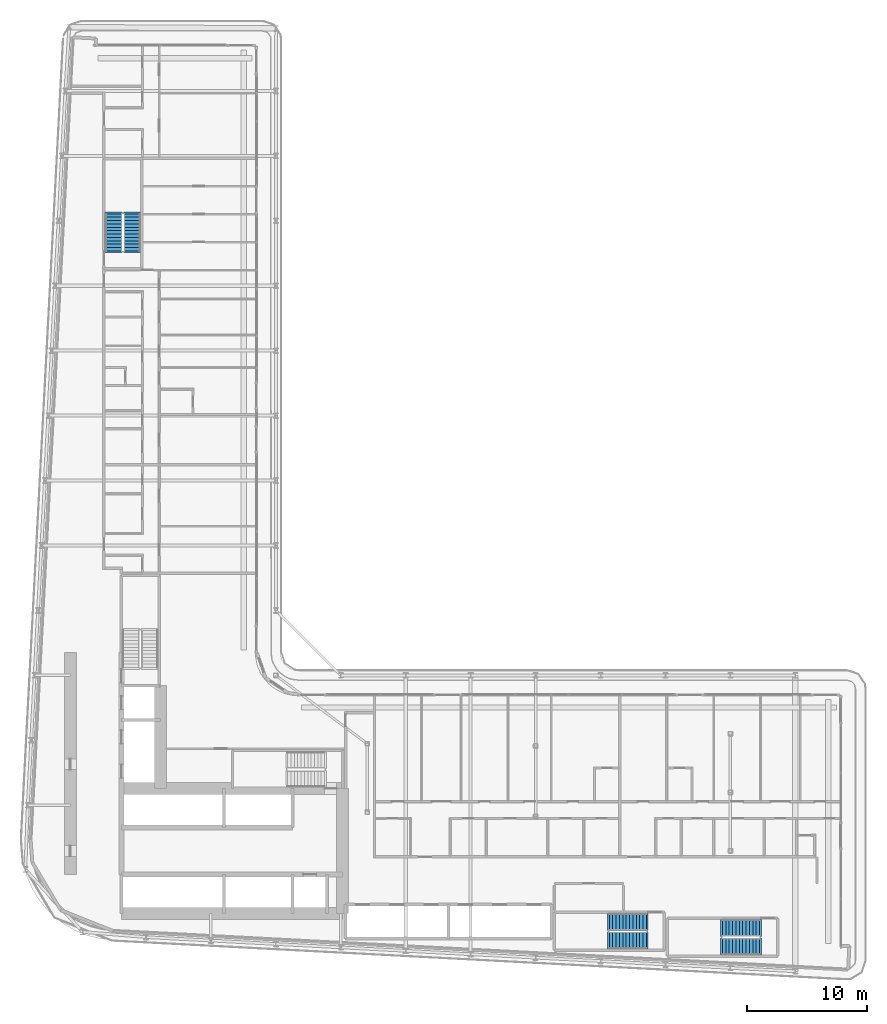
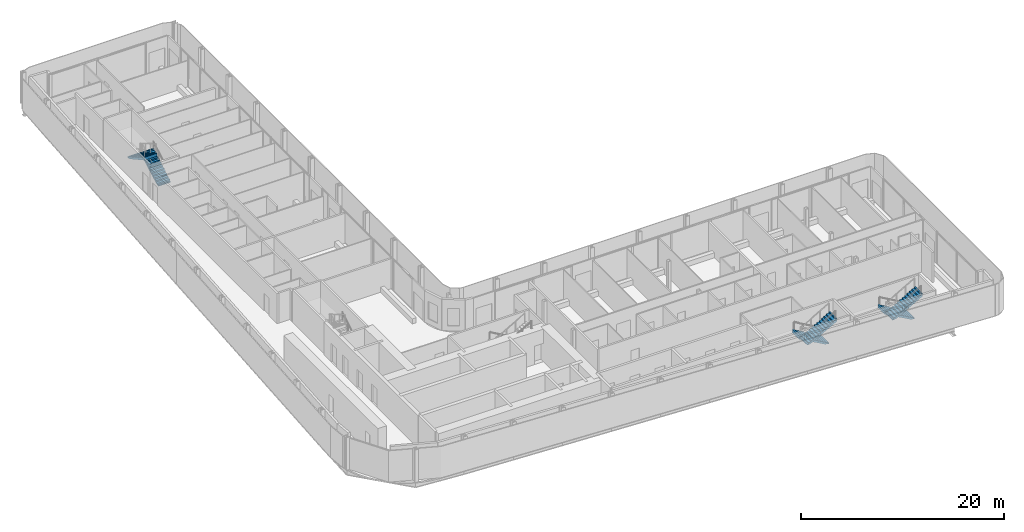
# One storey, part 20 of 27: 6 stair flights, 3 elements without a shape of their own.
"""IFC4 building model written with IfcOpenShell, lengths in metres."""

from ifc_helpers import new_model, si_unit, direction, frame, origin, place, context, subcontext, project, spatial, polyline, outline, extrude, material, layer, layer_set, type_object, element, aggregate, save


model = new_model("IFC4")

# Units and contexts
model_context = context("Model", 3, precision=1e-05, world=origin(), true_north=direction((0.0, 1.0)))
body_context = subcontext(model_context, "Body", "Model", "MODEL_VIEW")
ifc_project = project(units=[si_unit("LENGTHUNIT", "METRE"), si_unit("AREAUNIT", "SQUARE_METRE"), si_unit("VOLUMEUNIT", "CUBIC_METRE"), si_unit("PLANEANGLEUNIT", "RADIAN"), si_unit("MASSUNIT", "GRAM", prefix="KILO")], contexts=[model_context])

# Site, building, storey
site_placement = place(None, origin())
site = spatial("IfcSite", under=ifc_project, at=site_placement, CompositionType="ELEMENT")
building_placement = place(site_placement, origin())
building = spatial("IfcBuilding", under=site, at=building_placement, Name="Kheshtan School and Residences Tower", CompositionType="ELEMENT")
storey_placement = place(building_placement, frame((0.0, 0.0, 50.0)))
storey = spatial("IfcBuildingStorey", under=building, at=storey_placement, Name="L11", CompositionType="ELEMENT", Elevation=50.0)

# Stair, stair flights
ifc_material = material(Name="Concrete C40/50", Category="concrete")
stair_type = type_object("IfcStairType", Name="Exit stair, half-turn", PredefinedType="HALF_TURN_STAIR", material=ifc_material)
stair_1_placement = place(storey_placement, origin())
stair_1 = element("IfcStair", 1, at=stair_1_placement, inside=storey, type_object=stair_type, Name="L11 Protected Exit Stair ST3", PredefinedType="HALF_TURN_STAIR")
ifc_layer = layer(ifc_material, 0.14990234375)
ifc_layer_set = layer_set([ifc_layer], Name="Stair flight 1400 Concrete C40/50")
stair_flight_type = type_object("IfcStairFlightType", Name="Stair flight 1400 Concrete C40/50", PredefinedType="STRAIGHT", material=ifc_layer_set)
stair_flight_1_placement = place(storey_placement, frame((35.64990234375, 80.89990234375, 0.0), z_axis=(0.0, 0.0, 1.0), x_axis=(0.0, 1.0, 0.0)))
stair_flight_1 = element("IfcStairFlight", 2, at=stair_flight_1_placement, type_object=stair_flight_type, Name="ST3 flight 1", NumberOfRisers=12, NumberOfTreads=11, PredefinedType="STRAIGHT", RiserHeight=0.1625, TreadLength=0.28, context=body_context, shape_type="SweptSolid", body=[
    extrude(outline(polyline([(-0.14990234375, -0.10009765625), (-0.14990234375, 0.0), (0.0, 0.0), (0.0, 0.16259765625), (0.280029296875, 0.16259765625), (0.280029296875, 0.324951171875), (0.56005859375, 0.324951171875), (0.56005859375, 0.487548828125), (0.840087890625, 0.487548828125), (0.840087890625, 0.64990234375), (1.1201171875, 0.64990234375), (1.1201171875, 0.8125), (1.39990234375, 0.8125), (1.39990234375, 0.97509765625), (1.679931640625, 0.97509765625), (1.679931640625, 1.137451171875), (1.9599609375, 1.137451171875), (1.9599609375, 1.300048828125), (2.239990234375, 1.300048828125), (2.239990234375, 1.46240234375), (2.52001953125, 1.46240234375), (2.52001953125, 1.625), (2.800048828125, 1.625), (2.800048828125, 1.78759765625), (3.080078125, 1.78759765625), (3.080078125, 1.949951171875), (3.080078125, 1.969970703125), (3.22998046875, 1.969970703125), (3.22998046875, 1.6142578125), (0.298583984375, 0.0), (-0.14990234375, -0.10009765625)])), frame((0.0, 0.699951171875, 0.0), z_axis=(0.0, -1.0, 0.0), x_axis=(1.0, 0.0, 0.0)), (0.0, 0.0, 1.0), 1.39990234375),
])
stair_flight_2_placement = place(storey_placement, frame((34.10009765625, 83.97998046875, 1.949951171875), z_axis=(0.0, 0.0, 1.0), x_axis=(0.0, -1.0, 0.0)))
stair_flight_2 = element("IfcStairFlight", 3, at=stair_flight_2_placement, type_object=stair_flight_type, Name="ST3 flight 2", NumberOfRisers=12, NumberOfTreads=11, PredefinedType="STRAIGHT", RiserHeight=0.1625, TreadLength=0.28, context=body_context, shape_type="SweptSolid", body=[
    extrude(outline(polyline([(-0.14990234375, -0.10009765625), (-0.14990234375, 0.0), (0.0, 0.0), (0.0, 0.16259765625), (0.280029296875, 0.16259765625), (0.280029296875, 0.324951171875), (0.56005859375, 0.324951171875), (0.56005859375, 0.487548828125), (0.840087890625, 0.487548828125), (0.840087890625, 0.64990234375), (1.1201171875, 0.64990234375), (1.1201171875, 0.8125), (1.39990234375, 0.8125), (1.39990234375, 0.97509765625), (1.679931640625, 0.97509765625), (1.679931640625, 1.137451171875), (1.9599609375, 1.137451171875), (1.9599609375, 1.300048828125), (2.239990234375, 1.300048828125), (2.239990234375, 1.46240234375), (2.52001953125, 1.46240234375), (2.52001953125, 1.625), (2.800048828125, 1.625), (2.800048828125, 1.78759765625), (3.080078125, 1.78759765625), (3.080078125, 1.949951171875), (3.080078125, 1.969970703125), (3.22998046875, 1.969970703125), (3.22998046875, 1.6142578125), (0.298583984375, 0.0), (-0.14990234375, -0.10009765625)])), frame((0.0, 0.699951171875, 0.0), z_axis=(0.0, -1.0, 0.0), x_axis=(1.0, 0.0, 0.0)), (0.0, 0.0, 1.0), 1.39990234375),
])
aggregate(stair_1, [stair_flight_1, stair_flight_2])

stair_2_placement = place(storey_placement, origin())
stair_2 = element("IfcStair", 4, at=stair_2_placement, inside=storey, type_object=stair_type, Name="L11 Protected Exit Stair ST4", PredefinedType="HALF_TURN_STAIR")
stair_flight_3_placement = place(storey_placement, frame((87.820068359375, 24.60009765625, 0.0), z_axis=(0.0, 0.0, 1.0), x_axis=(-1.0, 0.0, 0.0)))
stair_flight_3 = element("IfcStairFlight", 5, at=stair_flight_3_placement, type_object=stair_flight_type, Name="ST4 flight 1", NumberOfRisers=12, NumberOfTreads=11, PredefinedType="STRAIGHT", RiserHeight=0.1625, TreadLength=0.28, context=body_context, shape_type="SweptSolid", body=[
    extrude(outline(polyline([(-0.14990234375, -0.10009765625), (-0.14990234375, 0.0), (0.0, 0.0), (0.0, 0.16259765625), (0.280029296875, 0.16259765625), (0.280029296875, 0.324951171875), (0.56005859375, 0.324951171875), (0.56005859375, 0.487548828125), (0.840087890625, 0.487548828125), (0.840087890625, 0.64990234375), (1.1201171875, 0.64990234375), (1.1201171875, 0.8125), (1.39990234375, 0.8125), (1.39990234375, 0.97509765625), (1.679931640625, 0.97509765625), (1.679931640625, 1.137451171875), (1.9599609375, 1.137451171875), (1.9599609375, 1.300048828125), (2.239990234375, 1.300048828125), (2.239990234375, 1.46240234375), (2.52001953125, 1.46240234375), (2.52001953125, 1.625), (2.800048828125, 1.625), (2.800048828125, 1.78759765625), (3.080078125, 1.78759765625), (3.080078125, 1.949951171875), (3.080078125, 1.969970703125), (3.22998046875, 1.969970703125), (3.22998046875, 1.6142578125), (0.298583984375, 0.0), (-0.14990234375, -0.10009765625)])), frame((0.0, 0.699951171875, 0.0), z_axis=(0.0, -1.0, 0.0), x_axis=(1.0, 0.0, 0.0)), (0.0, 0.0, 1.0), 1.39990234375),
])
stair_flight_4_placement = place(storey_placement, frame((84.739990234375, 23.050048828125, 1.949951171875), z_axis=(0.0, 0.0, 1.0), x_axis=(1.0, 0.0, 0.0)))
stair_flight_4 = element("IfcStairFlight", 6, at=stair_flight_4_placement, type_object=stair_flight_type, Name="ST4 flight 2", NumberOfRisers=12, NumberOfTreads=11, PredefinedType="STRAIGHT", RiserHeight=0.1625, TreadLength=0.28, context=body_context, shape_type="SweptSolid", body=[
    extrude(outline(polyline([(-0.14990234375, -0.10009765625), (-0.14990234375, 0.0), (0.0, 0.0), (0.0, 0.16259765625), (0.280029296875, 0.16259765625), (0.280029296875, 0.324951171875), (0.56005859375, 0.324951171875), (0.56005859375, 0.487548828125), (0.840087890625, 0.487548828125), (0.840087890625, 0.64990234375), (1.1201171875, 0.64990234375), (1.1201171875, 0.8125), (1.39990234375, 0.8125), (1.39990234375, 0.97509765625), (1.679931640625, 0.97509765625), (1.679931640625, 1.137451171875), (1.9599609375, 1.137451171875), (1.9599609375, 1.300048828125), (2.239990234375, 1.300048828125), (2.239990234375, 1.46240234375), (2.52001953125, 1.46240234375), (2.52001953125, 1.625), (2.800048828125, 1.625), (2.800048828125, 1.78759765625), (3.080078125, 1.78759765625), (3.080078125, 1.949951171875), (3.080078125, 1.969970703125), (3.22998046875, 1.969970703125), (3.22998046875, 1.6142578125), (0.298583984375, 0.0), (-0.14990234375, -0.10009765625)])), frame((0.0, 0.699951171875, 0.0), z_axis=(0.0, -1.0, 0.0), x_axis=(1.0, 0.0, 0.0)), (0.0, 0.0, 1.0), 1.39990234375),
])
aggregate(stair_2, [stair_flight_3, stair_flight_4])

stair_3_placement = place(storey_placement, origin())
stair_3 = element("IfcStair", 7, at=stair_3_placement, inside=storey, type_object=stair_type, Name="L11 Protected Exit Stair ST5", PredefinedType="HALF_TURN_STAIR")
stair_flight_5_placement = place(storey_placement, frame((78.409912109375, 25.10009765625, 0.0), z_axis=(0.0, 0.0, 1.0), x_axis=(-1.0, 0.0, 0.0)))
stair_flight_5 = element("IfcStairFlight", 8, at=stair_flight_5_placement, type_object=stair_flight_type, Name="ST5 flight 1", NumberOfRisers=12, NumberOfTreads=11, PredefinedType="STRAIGHT", RiserHeight=0.1625, TreadLength=0.28, context=body_context, shape_type="SweptSolid", body=[
    extrude(outline(polyline([(-0.14990234375, -0.10009765625), (-0.14990234375, 0.0), (0.0, 0.0), (0.0, 0.16259765625), (0.280029296875, 0.16259765625), (0.280029296875, 0.324951171875), (0.56005859375, 0.324951171875), (0.56005859375, 0.487548828125), (0.840087890625, 0.487548828125), (0.840087890625, 0.64990234375), (1.1201171875, 0.64990234375), (1.1201171875, 0.8125), (1.39990234375, 0.8125), (1.39990234375, 0.97509765625), (1.679931640625, 0.97509765625), (1.679931640625, 1.137451171875), (1.9599609375, 1.137451171875), (1.9599609375, 1.300048828125), (2.239990234375, 1.300048828125), (2.239990234375, 1.46240234375), (2.52001953125, 1.46240234375), (2.52001953125, 1.625), (2.800048828125, 1.625), (2.800048828125, 1.78759765625), (3.080078125, 1.78759765625), (3.080078125, 1.949951171875), (3.080078125, 1.969970703125), (3.22998046875, 1.969970703125), (3.22998046875, 1.6142578125), (0.298583984375, 0.0), (-0.14990234375, -0.10009765625)])), frame((0.0, 0.699951171875, 0.0), z_axis=(0.0, -1.0, 0.0), x_axis=(1.0, 0.0, 0.0)), (0.0, 0.0, 1.0), 1.39990234375),
])
stair_flight_6_placement = place(storey_placement, frame((75.330078125, 23.550048828125, 1.949951171875), z_axis=(0.0, 0.0, 1.0), x_axis=(1.0, 0.0, 0.0)))
stair_flight_6 = element("IfcStairFlight", 9, at=stair_flight_6_placement, type_object=stair_flight_type, Name="ST5 flight 2", NumberOfRisers=12, NumberOfTreads=11, PredefinedType="STRAIGHT", RiserHeight=0.1625, TreadLength=0.28, context=body_context, shape_type="SweptSolid", body=[
    extrude(outline(polyline([(-0.14990234375, -0.10009765625), (-0.14990234375, 0.0), (0.0, 0.0), (0.0, 0.16259765625), (0.280029296875, 0.16259765625), (0.280029296875, 0.324951171875), (0.56005859375, 0.324951171875), (0.56005859375, 0.487548828125), (0.840087890625, 0.487548828125), (0.840087890625, 0.64990234375), (1.1201171875, 0.64990234375), (1.1201171875, 0.8125), (1.39990234375, 0.8125), (1.39990234375, 0.97509765625), (1.679931640625, 0.97509765625), (1.679931640625, 1.137451171875), (1.9599609375, 1.137451171875), (1.9599609375, 1.300048828125), (2.239990234375, 1.300048828125), (2.239990234375, 1.46240234375), (2.52001953125, 1.46240234375), (2.52001953125, 1.625), (2.800048828125, 1.625), (2.800048828125, 1.78759765625), (3.080078125, 1.78759765625), (3.080078125, 1.949951171875), (3.080078125, 1.969970703125), (3.22998046875, 1.969970703125), (3.22998046875, 1.6142578125), (0.298583984375, 0.0), (-0.14990234375, -0.10009765625)])), frame((0.0, 0.699951171875, 0.0), z_axis=(0.0, -1.0, 0.0), x_axis=(1.0, 0.0, 0.0)), (0.0, 0.0, 1.0), 1.39990234375),
])
aggregate(stair_3, [stair_flight_5, stair_flight_6])

save(model, "model.ifc")
